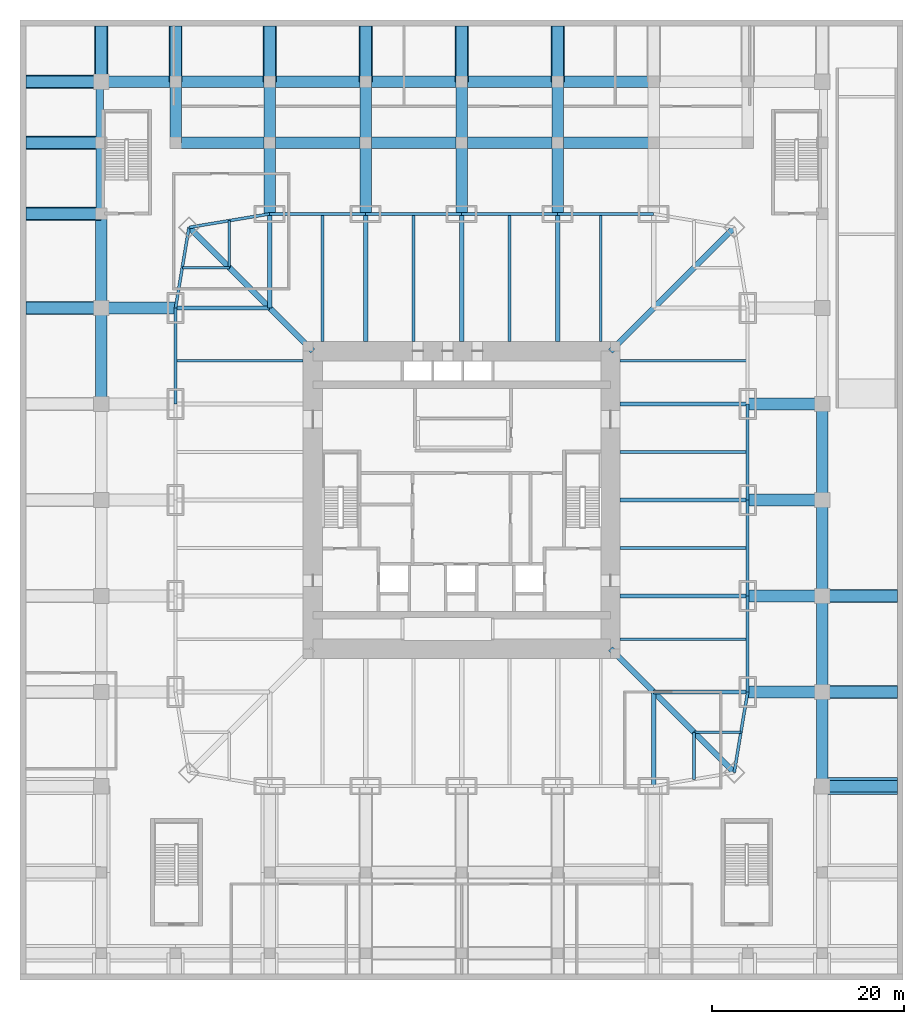
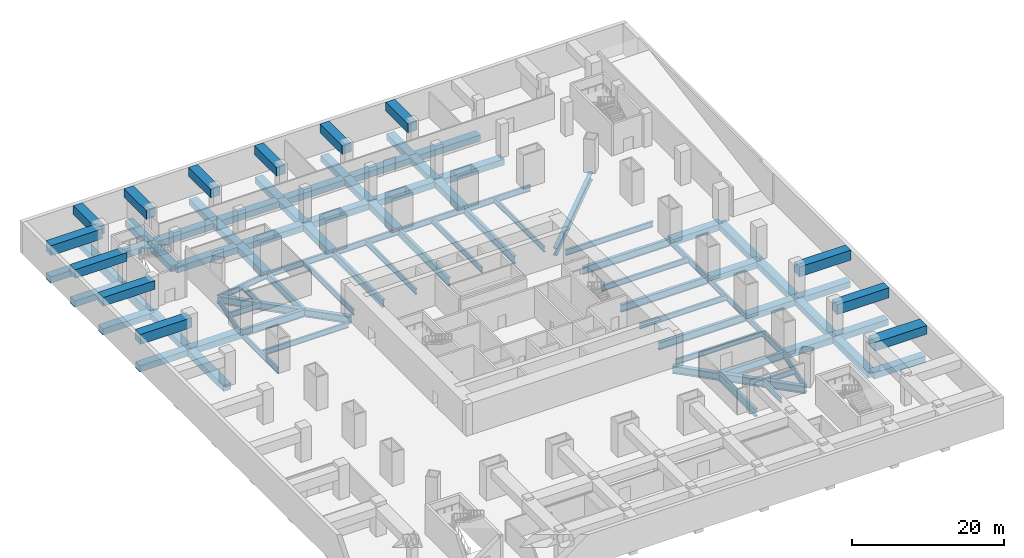
# One storey, part 3 of 12: 96 beams.
"""IFC4 building model written with IfcOpenShell, lengths in metres."""

from ifc_helpers import new_model, si_unit, direction, frame, origin, origin_2d, place, context, subcontext, project, spatial, rectangle, i_section, extrude, material, material_profile, profile_set, type_object, element, save


model = new_model("IFC4")

# Units and contexts
model_context = context("Model", 3, precision=1e-05, world=origin(), true_north=direction((0.0, 1.0)))
body_context = subcontext(model_context, "Body", "Model", "MODEL_VIEW")
ifc_project = project(units=[si_unit("LENGTHUNIT", "METRE"), si_unit("AREAUNIT", "SQUARE_METRE"), si_unit("VOLUMEUNIT", "CUBIC_METRE"), si_unit("PLANEANGLEUNIT", "RADIAN"), si_unit("MASSUNIT", "GRAM", prefix="KILO")], contexts=[model_context])

# Site, building, storey
site_placement = place(None, origin())
site = spatial("IfcSite", under=ifc_project, at=site_placement, CompositionType="ELEMENT")
building_placement = place(site_placement, origin())
building = spatial("IfcBuilding", under=site, at=building_placement, Name="Khuree Lantern Residences", CompositionType="ELEMENT")
storey_placement = place(building_placement, frame((0.0, 0.0, -5.39990234375)))
storey = spatial("IfcBuildingStorey", under=building, at=storey_placement, Name="B1", CompositionType="ELEMENT", Elevation=-5.39990234375)

# Beams
ifc_material_1 = material(Name="Steel S355", Category="steel")
ifc_material_profile_1 = material_profile(ifc_material_1, i_section(OverallWidth=0.300048828125, OverallDepth=0.89990234375, WebThickness=0.0185546875, FlangeThickness=0.034912109375, FilletRadius=0.030029296875, at=origin_2d()), Name="HE 900 B")
ifc_profile_set_1 = profile_set([ifc_material_profile_1], Name="Steel S355")
beam_type_1 = type_object("IfcBeamType", Name="B-B1 SECONDARY BEAM HE 900 B", PredefinedType="BEAM", material=ifc_profile_set_1)
for number, where, z_axis, x_axis, name in (
    (1, (-14.5, 29.800048828125, -0.75), (0.0, -1.0, 0.0), (1.0, 0.0, 0.0), "Secondary beam N1"),
    (2, (-5.0, 29.800048828125, -0.75), (0.0, -1.0, 0.0), (1.0, 0.0, 0.0), "Secondary beam N2"),
    (3, (5.0, 29.800048828125, -0.75), (0.0, -1.0, 0.0), (1.0, 0.0, 0.0), "Secondary beam N3"),
    (4, (14.5, 29.800048828125, -0.75), (0.0, -1.0, 0.0), (1.0, 0.0, 0.0), "Secondary beam N4"),
    (5, (29.800048828125, 14.5, -0.75), (-1.0, 0.0, 0.0), (0.0, -1.0, 0.0), "Secondary beam E2"),
    (6, (29.800048828125, 5.0, -0.75), (-1.0, 0.0, 0.0), (0.0, -1.0, 0.0), "Secondary beam E3"),
    (7, (29.800048828125, -5.0, -0.75), (-1.0, 0.0, 0.0), (0.0, -1.0, 0.0), "Secondary beam E4"),
    (8, (29.800048828125, -14.5, -0.75), (-1.0, 0.0, 0.0), (0.0, -1.0, 0.0), "Secondary beam E5"),
):
    element("IfcBeam", number, at=place(storey_placement, frame(where, z_axis=z_axis, x_axis=x_axis)), inside=storey, type_object=beam_type_1, Name=name, PredefinedType="BEAM", context=body_context, shape_type="SweptSolid", body=[
        extrude(i_section(OverallWidth=0.300048828125, OverallDepth=0.89990234375, WebThickness=0.0185546875, FlangeThickness=0.034912109375, FilletRadius=0.030029296875, at=origin_2d()), origin(), (0.0, 0.0, 1.0), 13.300048828125),
    ])
for number, where, z_axis, x_axis, name in (
    (9, (29.09716796875, -24.197021484375, -0.75), (-1.0, 0.0, 0.0), (0.0, -1.0, 0.0), "Secondary beam E6"),
    (10, (24.197021484375, -29.09716796875, -0.75), (0.0, 1.0, 0.0), (-1.0, 0.0, 0.0), "Secondary beam S1"),
):
    element("IfcBeam", number, at=place(storey_placement, frame(where, z_axis=z_axis, x_axis=x_axis)), inside=storey, type_object=beam_type_1, Name=name, PredefinedType="BEAM", context=body_context, shape_type="SweptSolid", body=[
        extrude(i_section(OverallWidth=0.300048828125, OverallDepth=0.89990234375, WebThickness=0.0185546875, FlangeThickness=0.034912109375, FilletRadius=0.030029296875, at=origin_2d()), origin(), (0.0, 0.0, 1.0), 4.900146484375),
    ])
beam_1_placement = place(storey_placement, frame((-29.800048828125, 14.5, -0.75), z_axis=(1.0, 0.0, 0.0), x_axis=(0.0, 1.0, 0.0)))
element("IfcBeam", 11, at=beam_1_placement, inside=storey, type_object=beam_type_1, Name="Secondary beam W5", PredefinedType="BEAM", context=body_context, shape_type="SweptSolid", body=[
    extrude(i_section(OverallWidth=0.300048828125, OverallDepth=0.89990234375, WebThickness=0.0185546875, FlangeThickness=0.034912109375, FilletRadius=0.030029296875, at=origin_2d()), origin(), (0.0, 0.0, 1.0), 13.300048828125),
])
for number, where, z_axis, x_axis, name in (
    (12, (-29.09716796875, 24.197021484375, -0.75), (1.0, 0.0, 0.0), (0.0, 1.0, 0.0), "Secondary beam W6"),
    (13, (-24.197021484375, 29.09716796875, -0.75), (0.0, -1.0, 0.0), (1.0, 0.0, 0.0), "Secondary beam N6"),
):
    element("IfcBeam", number, at=place(storey_placement, frame(where, z_axis=z_axis, x_axis=x_axis)), inside=storey, type_object=beam_type_1, Name=name, PredefinedType="BEAM", context=body_context, shape_type="SweptSolid", body=[
        extrude(i_section(OverallWidth=0.300048828125, OverallDepth=0.89990234375, WebThickness=0.0185546875, FlangeThickness=0.034912109375, FilletRadius=0.030029296875, at=origin_2d()), origin(), (0.0, 0.0, 1.0), 4.900146484375),
    ])
ifc_material_profile_2 = material_profile(ifc_material_1, i_section(OverallWidth=0.300048828125, OverallDepth=1.0, WebThickness=0.01904296875, FlangeThickness=0.035888671875, FilletRadius=0.030029296875, at=origin_2d()), Name="HE 1000 B")
ifc_profile_set_2 = profile_set([ifc_material_profile_2], Name="Steel S355")
beam_type_2 = type_object("IfcBeamType", Name="E-B1 SPANDREL BEAM HE 1000 B", PredefinedType="SPANDREL", material=ifc_profile_set_2)
for number, where, z_axis, x_axis, name in (
    (14, (-20.0, 29.800048828125, -0.800048828125), (1.0, 0.0, 0.0), (0.0, 1.0, 0.0), "Spandrel beam N1"),
    (15, (-10.0, 29.800048828125, -0.800048828125), (1.0, 0.0, 0.0), (0.0, 1.0, 0.0), "Spandrel beam N2"),
    (16, (0.0, 29.800048828125, -0.800048828125), (1.0, 0.0, 0.0), (0.0, 1.0, 0.0), "Spandrel beam N3"),
    (17, (10.0, 29.800048828125, -0.800048828125), (1.0, 0.0, 0.0), (0.0, 1.0, 0.0), "Spandrel beam N4"),
    (18, (29.800048828125, 10.0, -0.800048828125), (0.0, -1.0, 0.0), (1.0, 0.0, 0.0), "Spandrel beam E3"),
    (19, (29.800048828125, 0.0, -0.800048828125), (0.0, -1.0, 0.0), (1.0, 0.0, 0.0), "Spandrel beam E4"),
    (20, (29.800048828125, -10.0, -0.800048828125), (0.0, -1.0, 0.0), (1.0, 0.0, 0.0), "Spandrel beam E5"),
):
    element("IfcBeam", number, at=place(storey_placement, frame(where, z_axis=z_axis, x_axis=x_axis)), inside=storey, type_object=beam_type_2, Name=name, PredefinedType="SPANDREL", context=body_context, shape_type="SweptSolid", body=[
        extrude(i_section(OverallWidth=0.300048828125, OverallDepth=1.0, WebThickness=0.01904296875, FlangeThickness=0.035888671875, FilletRadius=0.030029296875, at=origin_2d()), origin(), (0.0, 0.0, 1.0), 10.0),
    ])
beam_2_placement = place(storey_placement, frame((29.800048828125, -20.0, -0.800048828125), z_axis=(-0.165199022349, -0.986260251158, 0.0), x_axis=(0.986260251158, -0.165199022349, 0.0)))
element("IfcBeam", 21, at=beam_2_placement, inside=storey, type_object=beam_type_2, Name="Spandrel beam E6", PredefinedType="SPANDREL", context=body_context, shape_type="SweptSolid", body=[
    extrude(i_section(OverallWidth=0.300048828125, OverallDepth=1.0, WebThickness=0.01904296875, FlangeThickness=0.035888671875, FilletRadius=0.030029296875, at=origin_2d()), origin(), (0.0, 0.0, 1.0), 8.510986328125),
])
beam_3_placement = place(storey_placement, frame((-29.800048828125, 10.0, -0.800048828125), z_axis=(0.0, 1.0, 0.0), x_axis=(-1.0, 0.0, 0.0)))
element("IfcBeam", 22, at=beam_3_placement, inside=storey, type_object=beam_type_2, Name="Spandrel beam W5", PredefinedType="SPANDREL", context=body_context, shape_type="SweptSolid", body=[
    extrude(i_section(OverallWidth=0.300048828125, OverallDepth=1.0, WebThickness=0.01904296875, FlangeThickness=0.035888671875, FilletRadius=0.030029296875, at=origin_2d()), origin(), (0.0, 0.0, 1.0), 10.0),
])
for number, where, z_axis, x_axis, name in (
    (23, (-29.800048828125, 20.0, -0.800048828125), (0.165199022349, 0.986260251158, 0.0), (-0.986260251158, 0.165199022349, 0.0), "Spandrel beam W6"),
    (24, (-28.39404296875, 28.39404296875, -0.800048828125), (0.986260251158, 0.165199022349, 0.0), (-0.165199022349, 0.986260251158, 0.0), "Spandrel beam N6"),
):
    element("IfcBeam", number, at=place(storey_placement, frame(where, z_axis=z_axis, x_axis=x_axis)), inside=storey, type_object=beam_type_2, Name=name, PredefinedType="SPANDREL", context=body_context, shape_type="SweptSolid", body=[
        extrude(i_section(OverallWidth=0.300048828125, OverallDepth=1.0, WebThickness=0.01904296875, FlangeThickness=0.035888671875, FilletRadius=0.030029296875, at=origin_2d()), origin(), (0.0, 0.0, 1.0), 8.510986328125),
    ])
ifc_material_profile_3 = material_profile(ifc_material_1, i_section(OverallWidth=0.449951171875, OverallDepth=1.199951171875, WebThickness=0.02490234375, FlangeThickness=0.044921875, at=origin_2d()), Name="WELDED I 1200X450X25X45")
ifc_profile_set_3 = profile_set([ifc_material_profile_3], Name="Steel S355")
beam_type_3 = type_object("IfcBeamType", Name="G-B1 GIRDER WELDED I 1200X450X25X45", PredefinedType="BEAM", material=ifc_profile_set_3)
beam_4_placement = place(storey_placement, frame((-20.0, 29.800048828125, -0.900146484375), z_axis=(0.0, -1.0, 0.0), x_axis=(1.0, 0.0, 0.0)))
element("IfcBeam", 25, at=beam_4_placement, inside=storey, type_object=beam_type_3, Name="Girder N1", PredefinedType="BEAM", context=body_context, shape_type="SweptSolid", body=[
    extrude(i_section(OverallWidth=0.449951171875, OverallDepth=1.199951171875, WebThickness=0.02490234375, FlangeThickness=0.044921875, at=origin_2d()), origin(), (0.0, 0.0, 1.0), 9.800048828125),
])
for number, where, z_axis, x_axis, name in (
    (26, (-10.0, 29.800048828125, -0.900146484375), (0.0, -1.0, 0.0), (1.0, 0.0, 0.0), "Girder N2"),
    (27, (0.0, 29.800048828125, -0.900146484375), (0.0, -1.0, 0.0), (1.0, 0.0, 0.0), "Girder N3"),
    (28, (10.0, 29.800048828125, -0.900146484375), (0.0, -1.0, 0.0), (1.0, 0.0, 0.0), "Girder N4"),
    (29, (29.800048828125, 10.0, -0.900146484375), (-1.0, 0.0, 0.0), (0.0, -1.0, 0.0), "Girder E2"),
    (30, (29.800048828125, 0.0, -0.900146484375), (-1.0, 0.0, 0.0), (0.0, -1.0, 0.0), "Girder E3"),
    (31, (29.800048828125, -10.0, -0.900146484375), (-1.0, 0.0, 0.0), (0.0, -1.0, 0.0), "Girder E4"),
):
    element("IfcBeam", number, at=place(storey_placement, frame(where, z_axis=z_axis, x_axis=x_axis)), inside=storey, type_object=beam_type_3, Name=name, PredefinedType="BEAM", context=body_context, shape_type="SweptSolid", body=[
        extrude(i_section(OverallWidth=0.449951171875, OverallDepth=1.199951171875, WebThickness=0.02490234375, FlangeThickness=0.044921875, at=origin_2d()), origin(), (0.0, 0.0, 1.0), 13.300048828125),
    ])
for number, where, z_axis, x_axis, name in (
    (32, (29.800048828125, -20.0, -0.900146484375), (-1.0, 0.0, 0.0), (0.0, -1.0, 0.0), "Girder E5"),
    (33, (20.0, -29.800048828125, -0.900146484375), (0.0, 1.0, 0.0), (-1.0, 0.0, 0.0), "Girder S1"),
    (34, (-29.800048828125, 20.0, -0.900146484375), (1.0, 0.0, 0.0), (0.0, 1.0, 0.0), "Girder W5"),
):
    element("IfcBeam", number, at=place(storey_placement, frame(where, z_axis=z_axis, x_axis=x_axis)), inside=storey, type_object=beam_type_3, Name=name, PredefinedType="BEAM", context=body_context, shape_type="SweptSolid", body=[
        extrude(i_section(OverallWidth=0.449951171875, OverallDepth=1.199951171875, WebThickness=0.02490234375, FlangeThickness=0.044921875, at=origin_2d()), origin(), (0.0, 0.0, 1.0), 9.800048828125),
    ])
ifc_material_profile_4 = material_profile(ifc_material_1, i_section(OverallWidth=0.60009765625, OverallDepth=1.199951171875, WebThickness=0.030029296875, FlangeThickness=0.06005859375, at=origin_2d()), Name="WELDED I 1200X600X30X60")
ifc_profile_set_4 = profile_set([ifc_material_profile_4], Name="Steel S355")
beam_type_4 = type_object("IfcBeamType", Name="GD-B1 CORNER GIRDER WELDED I 1200X600X30X60", PredefinedType="BEAM", material=ifc_profile_set_4)
for number, where, z_axis, x_axis, name in (
    (35, (28.39404296875, 28.39404296875, -0.900146484375), (-0.707106781187, -0.707106781187, 0.0), (0.707106781187, -0.707106781187, 0.0), "Corner girder NE"),
    (36, (28.39404296875, -28.39404296875, -0.900146484375), (-0.707106781187, 0.707106781187, 0.0), (-0.707106781187, -0.707106781187, 0.0), "Corner girder SE"),
    (37, (-28.39404296875, 28.39404296875, -0.900146484375), (0.707106781187, -0.707106781187, 0.0), (0.707106781187, 0.707106781187, 0.0), "Corner girder NW"),
):
    element("IfcBeam", number, at=place(storey_placement, frame(where, z_axis=z_axis, x_axis=x_axis)), inside=storey, type_object=beam_type_4, Name=name, PredefinedType="BEAM", context=body_context, shape_type="SweptSolid", body=[
        extrude(i_section(OverallWidth=0.60009765625, OverallDepth=1.199951171875, WebThickness=0.030029296875, FlangeThickness=0.06005859375, at=origin_2d()), origin(), (0.0, 0.0, 1.0), 18.23486328125),
    ])
ifc_material_2 = material(Name="Concrete C40/50", Category="concrete")
ifc_material_profile_5 = material_profile(ifc_material_2, rectangle(XDim=1.199951171875, YDim=1.0, at=origin_2d()), Name="RC 1200X1000")
ifc_profile_set_5 = profile_set([ifc_material_profile_5], Name="Concrete C40/50")
beam_type_5 = type_object("IfcBeamType", Name="RB1 BASEMENT BEAM RC 1200X1000", PredefinedType="BEAM", material=ifc_profile_set_5)
beam_5_placement = place(storey_placement, frame((37.550048828125, -29.800048828125, -0.800048828125), z_axis=(1.0, 0.0, 0.0), x_axis=(0.0, 1.0, 0.0)))
element("IfcBeam", 38, at=beam_5_placement, inside=storey, type_object=beam_type_5, Name="Basement beam RB-18", PredefinedType="BEAM", context=body_context, shape_type="SweptSolid", body=[
    extrude(rectangle(XDim=1.199951171875, YDim=1.0, at=origin_2d()), origin(), (0.0, 0.0, 1.0), 7.849853515625),
])
beam_6_placement = place(storey_placement, frame((29.800048828125, -20.0, -0.800048828125), z_axis=(1.0, 0.0, 0.0), x_axis=(0.0, 1.0, 0.0)))
element("IfcBeam", 39, at=beam_6_placement, inside=storey, type_object=beam_type_5, Name="Basement beam RB-21", PredefinedType="BEAM", context=body_context, shape_type="SweptSolid", body=[
    extrude(rectangle(XDim=1.199951171875, YDim=1.0, at=origin_2d()), origin(), (0.0, 0.0, 1.0), 7.75),
])
beam_7_placement = place(storey_placement, frame((37.550048828125, -20.0, -0.800048828125), z_axis=(1.0, 0.0, 0.0), x_axis=(0.0, 1.0, 0.0)))
element("IfcBeam", 40, at=beam_7_placement, inside=storey, type_object=beam_type_5, Name="Basement beam RB-22", PredefinedType="BEAM", context=body_context, shape_type="SweptSolid", body=[
    extrude(rectangle(XDim=1.199951171875, YDim=1.0, at=origin_2d()), origin(), (0.0, 0.0, 1.0), 7.849853515625),
])
beam_8_placement = place(storey_placement, frame((29.800048828125, -10.0, -0.800048828125), z_axis=(1.0, 0.0, 0.0), x_axis=(0.0, 1.0, 0.0)))
element("IfcBeam", 41, at=beam_8_placement, inside=storey, type_object=beam_type_5, Name="Basement beam RB-25", PredefinedType="BEAM", context=body_context, shape_type="SweptSolid", body=[
    extrude(rectangle(XDim=1.199951171875, YDim=1.0, at=origin_2d()), origin(), (0.0, 0.0, 1.0), 7.75),
])
beam_9_placement = place(storey_placement, frame((37.550048828125, -10.0, -0.800048828125), z_axis=(1.0, 0.0, 0.0), x_axis=(0.0, 1.0, 0.0)))
element("IfcBeam", 42, at=beam_9_placement, inside=storey, type_object=beam_type_5, Name="Basement beam RB-26", PredefinedType="BEAM", context=body_context, shape_type="SweptSolid", body=[
    extrude(rectangle(XDim=1.199951171875, YDim=1.0, at=origin_2d()), origin(), (0.0, 0.0, 1.0), 7.849853515625),
])
for number, where, z_axis, x_axis, name in (
    (43, (29.800048828125, 0.0, -0.800048828125), (1.0, 0.0, 0.0), (0.0, 1.0, 0.0), "Basement beam RB-29"),
    (44, (29.800048828125, 10.0, -0.800048828125), (1.0, 0.0, 0.0), (0.0, 1.0, 0.0), "Basement beam RB-32"),
):
    element("IfcBeam", number, at=place(storey_placement, frame(where, z_axis=z_axis, x_axis=x_axis)), inside=storey, type_object=beam_type_5, Name=name, PredefinedType="BEAM", context=body_context, shape_type="SweptSolid", body=[
        extrude(rectangle(XDim=1.199951171875, YDim=1.0, at=origin_2d()), origin(), (0.0, 0.0, 1.0), 7.75),
    ])
beam_10_placement = place(storey_placement, frame((-45.39990234375, 20.0, -0.800048828125), z_axis=(1.0, 0.0, 0.0), x_axis=(0.0, 1.0, 0.0)))
element("IfcBeam", 45, at=beam_10_placement, inside=storey, type_object=beam_type_5, Name="Basement beam RB-33", PredefinedType="BEAM", context=body_context, shape_type="SweptSolid", body=[
    extrude(rectangle(XDim=1.199951171875, YDim=1.0, at=origin_2d()), origin(), (0.0, 0.0, 1.0), 7.849853515625),
])
beam_11_placement = place(storey_placement, frame((-37.550048828125, 20.0, -0.800048828125), z_axis=(1.0, 0.0, 0.0), x_axis=(0.0, 1.0, 0.0)))
element("IfcBeam", 46, at=beam_11_placement, inside=storey, type_object=beam_type_5, Name="Basement beam RB-34", PredefinedType="BEAM", context=body_context, shape_type="SweptSolid", body=[
    extrude(rectangle(XDim=1.199951171875, YDim=1.0, at=origin_2d()), origin(), (0.0, 0.0, 1.0), 7.75),
])
for number, where, z_axis, x_axis, name in (
    (47, (-45.39990234375, 29.800048828125, -0.800048828125), (1.0, 0.0, 0.0), (0.0, 1.0, 0.0), "Basement beam RB-36"),
    (48, (-45.39990234375, 37.199951171875, -0.800048828125), (1.0, 0.0, 0.0), (0.0, 1.0, 0.0), "Basement beam RB-37"),
):
    element("IfcBeam", number, at=place(storey_placement, frame(where, z_axis=z_axis, x_axis=x_axis)), inside=storey, type_object=beam_type_5, Name=name, PredefinedType="BEAM", context=body_context, shape_type="SweptSolid", body=[
        extrude(rectangle(XDim=1.199951171875, YDim=1.0, at=origin_2d()), origin(), (0.0, 0.0, 1.0), 7.849853515625),
    ])
beam_12_placement = place(storey_placement, frame((-29.800048828125, 37.199951171875, -0.800048828125), z_axis=(1.0, 0.0, 0.0), x_axis=(0.0, 1.0, 0.0)))
element("IfcBeam", 49, at=beam_12_placement, inside=storey, type_object=beam_type_5, Name="Basement beam RB-38", PredefinedType="BEAM", context=body_context, shape_type="SweptSolid", body=[
    extrude(rectangle(XDim=1.199951171875, YDim=1.0, at=origin_2d()), origin(), (0.0, 0.0, 1.0), 9.800048828125),
])
for number, where, z_axis, x_axis, name in (
    (50, (-20.0, 37.199951171875, -0.800048828125), (1.0, 0.0, 0.0), (0.0, 1.0, 0.0), "Basement beam RB-39"),
    (51, (-10.0, 37.199951171875, -0.800048828125), (1.0, 0.0, 0.0), (0.0, 1.0, 0.0), "Basement beam RB-40"),
    (52, (0.0, 37.199951171875, -0.800048828125), (1.0, 0.0, 0.0), (0.0, 1.0, 0.0), "Basement beam RB-41"),
    (53, (10.0, 37.199951171875, -0.800048828125), (1.0, 0.0, 0.0), (0.0, 1.0, 0.0), "Basement beam RB-42"),
):
    element("IfcBeam", number, at=place(storey_placement, frame(where, z_axis=z_axis, x_axis=x_axis)), inside=storey, type_object=beam_type_5, Name=name, PredefinedType="BEAM", context=body_context, shape_type="SweptSolid", body=[
        extrude(rectangle(XDim=1.199951171875, YDim=1.0, at=origin_2d()), origin(), (0.0, 0.0, 1.0), 10.0),
    ])
beam_13_placement = place(storey_placement, frame((-45.39990234375, 43.550048828125, -0.800048828125), z_axis=(1.0, 0.0, 0.0), x_axis=(0.0, 1.0, 0.0)))
element("IfcBeam", 54, at=beam_13_placement, inside=storey, type_object=beam_type_5, Name="Basement beam RB-44", PredefinedType="BEAM", context=body_context, shape_type="SweptSolid", body=[
    extrude(rectangle(XDim=1.199951171875, YDim=1.0, at=origin_2d()), origin(), (0.0, 0.0, 1.0), 7.849853515625),
])
beam_14_placement = place(storey_placement, frame((-37.550048828125, 43.550048828125, -0.800048828125), z_axis=(1.0, 0.0, 0.0), x_axis=(0.0, 1.0, 0.0)))
element("IfcBeam", 55, at=beam_14_placement, inside=storey, type_object=beam_type_5, Name="Basement beam RB-45", PredefinedType="BEAM", context=body_context, shape_type="SweptSolid", body=[
    extrude(rectangle(XDim=1.199951171875, YDim=1.0, at=origin_2d()), origin(), (0.0, 0.0, 1.0), 7.75),
])
beam_15_placement = place(storey_placement, frame((-29.800048828125, 43.550048828125, -0.800048828125), z_axis=(1.0, 0.0, 0.0), x_axis=(0.0, 1.0, 0.0)))
element("IfcBeam", 56, at=beam_15_placement, inside=storey, type_object=beam_type_5, Name="Basement beam RB-46", PredefinedType="BEAM", context=body_context, shape_type="SweptSolid", body=[
    extrude(rectangle(XDim=1.199951171875, YDim=1.0, at=origin_2d()), origin(), (0.0, 0.0, 1.0), 9.800048828125),
])
for number, where, z_axis, x_axis, name in (
    (57, (-20.0, 43.550048828125, -0.800048828125), (1.0, 0.0, 0.0), (0.0, 1.0, 0.0), "Basement beam RB-47"),
    (58, (-10.0, 43.550048828125, -0.800048828125), (1.0, 0.0, 0.0), (0.0, 1.0, 0.0), "Basement beam RB-48"),
    (59, (0.0, 43.550048828125, -0.800048828125), (1.0, 0.0, 0.0), (0.0, 1.0, 0.0), "Basement beam RB-49"),
    (60, (10.0, 43.550048828125, -0.800048828125), (1.0, 0.0, 0.0), (0.0, 1.0, 0.0), "Basement beam RB-50"),
    (61, (-37.550048828125, 10.0, -0.800048828125), (0.0, 1.0, 0.0), (-1.0, 0.0, 0.0), "Basement beam RB-60"),
):
    element("IfcBeam", number, at=place(storey_placement, frame(where, z_axis=z_axis, x_axis=x_axis)), inside=storey, type_object=beam_type_5, Name=name, PredefinedType="BEAM", context=body_context, shape_type="SweptSolid", body=[
        extrude(rectangle(XDim=1.199951171875, YDim=1.0, at=origin_2d()), origin(), (0.0, 0.0, 1.0), 10.0),
    ])
beam_16_placement = place(storey_placement, frame((-37.550048828125, 20.0, -0.800048828125), z_axis=(0.0, 1.0, 0.0), x_axis=(-1.0, 0.0, 0.0)))
element("IfcBeam", 62, at=beam_16_placement, inside=storey, type_object=beam_type_5, Name="Basement beam RB-61", PredefinedType="BEAM", context=body_context, shape_type="SweptSolid", body=[
    extrude(rectangle(XDim=1.199951171875, YDim=1.0, at=origin_2d()), origin(), (0.0, 0.0, 1.0), 9.800048828125),
])
beam_17_placement = place(storey_placement, frame((-37.550048828125, 43.550048828125, -0.800048828125), z_axis=(0.0, 1.0, 0.0), x_axis=(-1.0, 0.0, 0.0)))
element("IfcBeam", 63, at=beam_17_placement, inside=storey, type_object=beam_type_5, Name="Basement beam RB-64", PredefinedType="BEAM", context=body_context, shape_type="SweptSolid", body=[
    extrude(rectangle(XDim=1.199951171875, YDim=1.0, at=origin_2d()), origin(), (0.0, 0.0, 1.0), 5.849853515625),
])
beam_18_placement = place(storey_placement, frame((-29.800048828125, 37.199951171875, -0.800048828125), z_axis=(0.0, 1.0, 0.0), x_axis=(-1.0, 0.0, 0.0)))
element("IfcBeam", 64, at=beam_18_placement, inside=storey, type_object=beam_type_5, Name="Basement beam RB-66", PredefinedType="BEAM", context=body_context, shape_type="SweptSolid", body=[
    extrude(rectangle(XDim=1.199951171875, YDim=1.0, at=origin_2d()), origin(), (0.0, 0.0, 1.0), 6.35009765625),
])
beam_19_placement = place(storey_placement, frame((-29.800048828125, 43.550048828125, -0.800048828125), z_axis=(0.0, 1.0, 0.0), x_axis=(-1.0, 0.0, 0.0)))
element("IfcBeam", 65, at=beam_19_placement, inside=storey, type_object=beam_type_5, Name="Basement beam RB-67", PredefinedType="BEAM", context=body_context, shape_type="SweptSolid", body=[
    extrude(rectangle(XDim=1.199951171875, YDim=1.0, at=origin_2d()), origin(), (0.0, 0.0, 1.0), 5.849853515625),
])
beam_20_placement = place(storey_placement, frame((-20.0, 29.800048828125, -0.800048828125), z_axis=(0.0, 1.0, 0.0), x_axis=(-1.0, 0.0, 0.0)))
element("IfcBeam", 66, at=beam_20_placement, inside=storey, type_object=beam_type_5, Name="Basement beam RB-71", PredefinedType="BEAM", context=body_context, shape_type="SweptSolid", body=[
    extrude(rectangle(XDim=1.199951171875, YDim=1.0, at=origin_2d()), origin(), (0.0, 0.0, 1.0), 7.39990234375),
])
beam_21_placement = place(storey_placement, frame((-20.0, 37.199951171875, -0.800048828125), z_axis=(0.0, 1.0, 0.0), x_axis=(-1.0, 0.0, 0.0)))
element("IfcBeam", 67, at=beam_21_placement, inside=storey, type_object=beam_type_5, Name="Basement beam RB-72", PredefinedType="BEAM", context=body_context, shape_type="SweptSolid", body=[
    extrude(rectangle(XDim=1.199951171875, YDim=1.0, at=origin_2d()), origin(), (0.0, 0.0, 1.0), 6.35009765625),
])
beam_22_placement = place(storey_placement, frame((-20.0, 43.550048828125, -0.800048828125), z_axis=(0.0, 1.0, 0.0), x_axis=(-1.0, 0.0, 0.0)))
element("IfcBeam", 68, at=beam_22_placement, inside=storey, type_object=beam_type_5, Name="Basement beam RB-73", PredefinedType="BEAM", context=body_context, shape_type="SweptSolid", body=[
    extrude(rectangle(XDim=1.199951171875, YDim=1.0, at=origin_2d()), origin(), (0.0, 0.0, 1.0), 5.849853515625),
])
beam_23_placement = place(storey_placement, frame((-10.0, 29.800048828125, -0.800048828125), z_axis=(0.0, 1.0, 0.0), x_axis=(-1.0, 0.0, 0.0)))
element("IfcBeam", 69, at=beam_23_placement, inside=storey, type_object=beam_type_5, Name="Basement beam RB-77", PredefinedType="BEAM", context=body_context, shape_type="SweptSolid", body=[
    extrude(rectangle(XDim=1.199951171875, YDim=1.0, at=origin_2d()), origin(), (0.0, 0.0, 1.0), 7.39990234375),
])
beam_24_placement = place(storey_placement, frame((-10.0, 37.199951171875, -0.800048828125), z_axis=(0.0, 1.0, 0.0), x_axis=(-1.0, 0.0, 0.0)))
element("IfcBeam", 70, at=beam_24_placement, inside=storey, type_object=beam_type_5, Name="Basement beam RB-78", PredefinedType="BEAM", context=body_context, shape_type="SweptSolid", body=[
    extrude(rectangle(XDim=1.199951171875, YDim=1.0, at=origin_2d()), origin(), (0.0, 0.0, 1.0), 6.35009765625),
])
beam_25_placement = place(storey_placement, frame((-10.0, 43.550048828125, -0.800048828125), z_axis=(0.0, 1.0, 0.0), x_axis=(-1.0, 0.0, 0.0)))
element("IfcBeam", 71, at=beam_25_placement, inside=storey, type_object=beam_type_5, Name="Basement beam RB-79", PredefinedType="BEAM", context=body_context, shape_type="SweptSolid", body=[
    extrude(rectangle(XDim=1.199951171875, YDim=1.0, at=origin_2d()), origin(), (0.0, 0.0, 1.0), 5.849853515625),
])
beam_26_placement = place(storey_placement, frame((0.0, 29.800048828125, -0.800048828125), z_axis=(0.0, 1.0, 0.0), x_axis=(-1.0, 0.0, 0.0)))
element("IfcBeam", 72, at=beam_26_placement, inside=storey, type_object=beam_type_5, Name="Basement beam RB-83", PredefinedType="BEAM", context=body_context, shape_type="SweptSolid", body=[
    extrude(rectangle(XDim=1.199951171875, YDim=1.0, at=origin_2d()), origin(), (0.0, 0.0, 1.0), 7.39990234375),
])
beam_27_placement = place(storey_placement, frame((0.0, 37.199951171875, -0.800048828125), z_axis=(0.0, 1.0, 0.0), x_axis=(-1.0, 0.0, 0.0)))
element("IfcBeam", 73, at=beam_27_placement, inside=storey, type_object=beam_type_5, Name="Basement beam RB-84", PredefinedType="BEAM", context=body_context, shape_type="SweptSolid", body=[
    extrude(rectangle(XDim=1.199951171875, YDim=1.0, at=origin_2d()), origin(), (0.0, 0.0, 1.0), 6.35009765625),
])
beam_28_placement = place(storey_placement, frame((0.0, 43.550048828125, -0.800048828125), z_axis=(0.0, 1.0, 0.0), x_axis=(-1.0, 0.0, 0.0)))
element("IfcBeam", 74, at=beam_28_placement, inside=storey, type_object=beam_type_5, Name="Basement beam RB-85", PredefinedType="BEAM", context=body_context, shape_type="SweptSolid", body=[
    extrude(rectangle(XDim=1.199951171875, YDim=1.0, at=origin_2d()), origin(), (0.0, 0.0, 1.0), 5.849853515625),
])
beam_29_placement = place(storey_placement, frame((10.0, 29.800048828125, -0.800048828125), z_axis=(0.0, 1.0, 0.0), x_axis=(-1.0, 0.0, 0.0)))
element("IfcBeam", 75, at=beam_29_placement, inside=storey, type_object=beam_type_5, Name="Basement beam RB-89", PredefinedType="BEAM", context=body_context, shape_type="SweptSolid", body=[
    extrude(rectangle(XDim=1.199951171875, YDim=1.0, at=origin_2d()), origin(), (0.0, 0.0, 1.0), 7.39990234375),
])
beam_30_placement = place(storey_placement, frame((10.0, 37.199951171875, -0.800048828125), z_axis=(0.0, 1.0, 0.0), x_axis=(-1.0, 0.0, 0.0)))
element("IfcBeam", 76, at=beam_30_placement, inside=storey, type_object=beam_type_5, Name="Basement beam RB-90", PredefinedType="BEAM", context=body_context, shape_type="SweptSolid", body=[
    extrude(rectangle(XDim=1.199951171875, YDim=1.0, at=origin_2d()), origin(), (0.0, 0.0, 1.0), 6.35009765625),
])
beam_31_placement = place(storey_placement, frame((10.0, 43.550048828125, -0.800048828125), z_axis=(0.0, 1.0, 0.0), x_axis=(-1.0, 0.0, 0.0)))
element("IfcBeam", 77, at=beam_31_placement, inside=storey, type_object=beam_type_5, Name="Basement beam RB-91", PredefinedType="BEAM", context=body_context, shape_type="SweptSolid", body=[
    extrude(rectangle(XDim=1.199951171875, YDim=1.0, at=origin_2d()), origin(), (0.0, 0.0, 1.0), 5.849853515625),
])
beam_32_placement = place(storey_placement, frame((37.550048828125, -29.800048828125, -0.800048828125), z_axis=(0.0, 1.0, 0.0), x_axis=(-1.0, 0.0, 0.0)))
element("IfcBeam", 78, at=beam_32_placement, inside=storey, type_object=beam_type_5, Name="Basement beam RB-104", PredefinedType="BEAM", context=body_context, shape_type="SweptSolid", body=[
    extrude(rectangle(XDim=1.199951171875, YDim=1.0, at=origin_2d()), origin(), (0.0, 0.0, 1.0), 9.800048828125),
])
for number, where, z_axis, x_axis, name in (
    (79, (37.550048828125, -20.0, -0.800048828125), (0.0, 1.0, 0.0), (-1.0, 0.0, 0.0), "Basement beam RB-105"),
    (80, (37.550048828125, -10.0, -0.800048828125), (0.0, 1.0, 0.0), (-1.0, 0.0, 0.0), "Basement beam RB-106"),
    (81, (37.550048828125, 0.0, -0.800048828125), (0.0, 1.0, 0.0), (-1.0, 0.0, 0.0), "Basement beam RB-107"),
):
    element("IfcBeam", number, at=place(storey_placement, frame(where, z_axis=z_axis, x_axis=x_axis)), inside=storey, type_object=beam_type_5, Name=name, PredefinedType="BEAM", context=body_context, shape_type="SweptSolid", body=[
        extrude(rectangle(XDim=1.199951171875, YDim=1.0, at=origin_2d()), origin(), (0.0, 0.0, 1.0), 10.0),
    ])
ifc_material_profile_6 = material_profile(ifc_material_2, rectangle(XDim=1.39990234375, YDim=1.39990234375, at=origin_2d()), Name="RC 1400X1400")
ifc_profile_set_6 = profile_set([ifc_material_profile_6], Name="Concrete C40/50")
beam_type_6 = type_object("IfcBeamType", Name="RB2 PLAZA DECK BEAM RC 1400X1400", PredefinedType="BEAM", material=ifc_profile_set_6)
for number, where, z_axis, x_axis, name in (
    (82, (-45.39990234375, 29.800048828125, 4.099853515625), (1.0, 0.0, 0.0), (0.0, 1.0, 0.0), "Plaza deck beam DB-36"),
    (83, (-45.39990234375, 37.199951171875, 4.099853515625), (1.0, 0.0, 0.0), (0.0, 1.0, 0.0), "Plaza deck beam DB-37"),
):
    element("IfcBeam", number, at=place(storey_placement, frame(where, z_axis=z_axis, x_axis=x_axis)), inside=storey, type_object=beam_type_6, Name=name, PredefinedType="BEAM", context=body_context, shape_type="SweptSolid", body=[
        extrude(rectangle(XDim=1.39990234375, YDim=1.39990234375, at=origin_2d()), origin(), (0.0, 0.0, 1.0), 7.849853515625),
    ])
for number, where, z_axis, x_axis, name in (
    (84, (-37.550048828125, 43.550048828125, 4.099853515625), (0.0, 1.0, 0.0), (-1.0, 0.0, 0.0), "Plaza deck beam DB-64"),
    (85, (-29.800048828125, 43.550048828125, 4.099853515625), (0.0, 1.0, 0.0), (-1.0, 0.0, 0.0), "Plaza deck beam DB-67"),
    (86, (-20.0, 43.550048828125, 4.099853515625), (0.0, 1.0, 0.0), (-1.0, 0.0, 0.0), "Plaza deck beam DB-73"),
    (87, (-10.0, 43.550048828125, 4.099853515625), (0.0, 1.0, 0.0), (-1.0, 0.0, 0.0), "Plaza deck beam DB-79"),
    (88, (0.0, 43.550048828125, 4.099853515625), (0.0, 1.0, 0.0), (-1.0, 0.0, 0.0), "Plaza deck beam DB-85"),
    (89, (10.0, 43.550048828125, 4.099853515625), (0.0, 1.0, 0.0), (-1.0, 0.0, 0.0), "Plaza deck beam DB-91"),
):
    element("IfcBeam", number, at=place(storey_placement, frame(where, z_axis=z_axis, x_axis=x_axis)), inside=storey, type_object=beam_type_6, Name=name, PredefinedType="BEAM", context=body_context, shape_type="SweptSolid", body=[
        extrude(rectangle(XDim=1.39990234375, YDim=1.39990234375, at=origin_2d()), origin(), (0.0, 0.0, 1.0), 5.849853515625),
    ])
ifc_material_profile_7 = material_profile(ifc_material_2, rectangle(XDim=1.39990234375, YDim=1.60009765625, at=origin_2d()), Name="RC 1400X1600")
ifc_profile_set_7 = profile_set([ifc_material_profile_7], Name="Concrete C40/50")
beam_type_7 = type_object("IfcBeamType", Name="RB2A PLAZA DECK BEAM RC 1400X1600", PredefinedType="BEAM", material=ifc_profile_set_7)
for number, where, z_axis, x_axis, name in (
    (90, (37.550048828125, -20.0, 4.0), (1.0, 0.0, 0.0), (0.0, 1.0, 0.0), "Plaza deck beam DB-22"),
    (91, (37.550048828125, -10.0, 4.0), (1.0, 0.0, 0.0), (0.0, 1.0, 0.0), "Plaza deck beam DB-26"),
    (92, (-45.39990234375, 20.0, 4.0), (1.0, 0.0, 0.0), (0.0, 1.0, 0.0), "Plaza deck beam DB-33"),
    (93, (-45.39990234375, 43.550048828125, 4.0), (1.0, 0.0, 0.0), (0.0, 1.0, 0.0), "Plaza deck beam DB-44"),
):
    element("IfcBeam", number, at=place(storey_placement, frame(where, z_axis=z_axis, x_axis=x_axis)), inside=storey, type_object=beam_type_7, Name=name, PredefinedType="BEAM", context=body_context, shape_type="SweptSolid", body=[
        extrude(rectangle(XDim=1.39990234375, YDim=1.60009765625, at=origin_2d()), origin(), (0.0, 0.0, 1.0), 7.849853515625),
    ])
ifc_material_profile_8 = material_profile(ifc_material_2, rectangle(XDim=1.800048828125, YDim=1.39990234375, at=origin_2d()), Name="RC 1800X1400")
ifc_profile_set_8 = profile_set([ifc_material_profile_8], Name="Concrete C40/50")
beam_type_8 = type_object("IfcBeamType", Name="RB5 PLAZA DECK BEAM AT STAIR RC 1800X1400", PredefinedType="BEAM", material=ifc_profile_set_8)
beam_33_placement = place(storey_placement, frame((37.550048828125, -29.800048828125, 4.099853515625), z_axis=(1.0, 0.0, 0.0), x_axis=(0.0, 1.0, 0.0)))
element("IfcBeam", 94, at=beam_33_placement, inside=storey, type_object=beam_type_8, Name="Plaza deck beam at stair DB-18", PredefinedType="BEAM", context=body_context, shape_type="SweptSolid", body=[
    extrude(rectangle(XDim=1.800048828125, YDim=1.39990234375, at=origin_2d()), origin(), (0.0, 0.0, 1.0), 7.849853515625),
])
ifc_material_profile_9 = material_profile(ifc_material_2, rectangle(XDim=0.800048828125, YDim=1.5, at=origin_2d()), Name="RC 800X1500")
ifc_profile_set_9 = profile_set([ifc_material_profile_9], Name="Concrete C40/50")
beam_type_9 = type_object("IfcBeamType", Name="RB6 BASEMENT BEAM AT STAIR RC 800X1500", PredefinedType="BEAM", material=ifc_profile_set_9)
beam_34_placement = place(storey_placement, frame((-37.699951171875, 29.800048828125, -1.050048828125), z_axis=(0.0, 1.0, 0.0), x_axis=(-1.0, 0.0, 0.0)))
element("IfcBeam", 95, at=beam_34_placement, inside=storey, type_object=beam_type_9, Name="Basement beam at stair RB-62", PredefinedType="BEAM", context=body_context, shape_type="SweptSolid", body=[
    extrude(rectangle(XDim=0.800048828125, YDim=1.5, at=origin_2d()), origin(), (0.0, 0.0, 1.0), 7.39990234375),
])
beam_35_placement = place(storey_placement, frame((-37.699951171875, 37.199951171875, -1.050048828125), z_axis=(0.0, 1.0, 0.0), x_axis=(-1.0, 0.0, 0.0)))
element("IfcBeam", 96, at=beam_35_placement, inside=storey, type_object=beam_type_9, Name="Basement beam at stair RB-63", PredefinedType="BEAM", context=body_context, shape_type="SweptSolid", body=[
    extrude(rectangle(XDim=0.800048828125, YDim=1.5, at=origin_2d()), origin(), (0.0, 0.0, 1.0), 6.35009765625),
])

save(model, "model.ifc")
